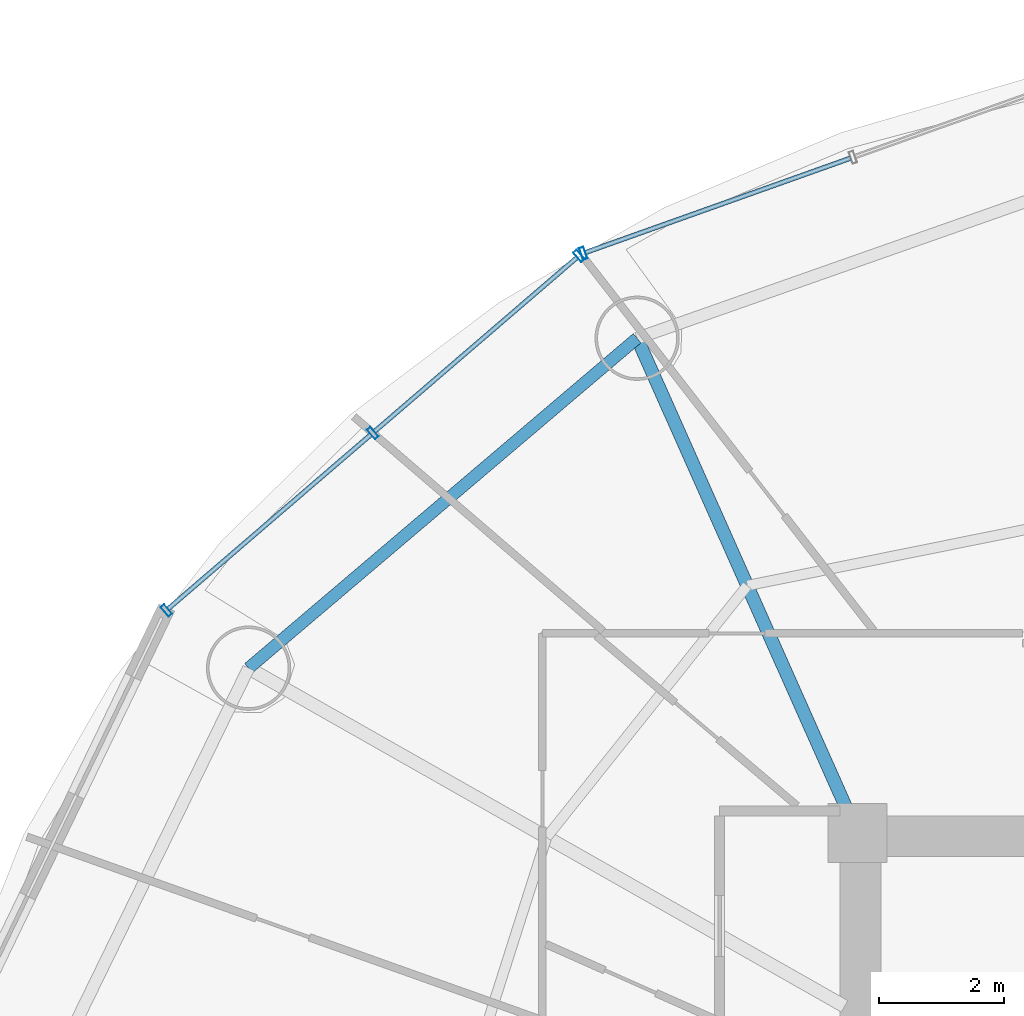
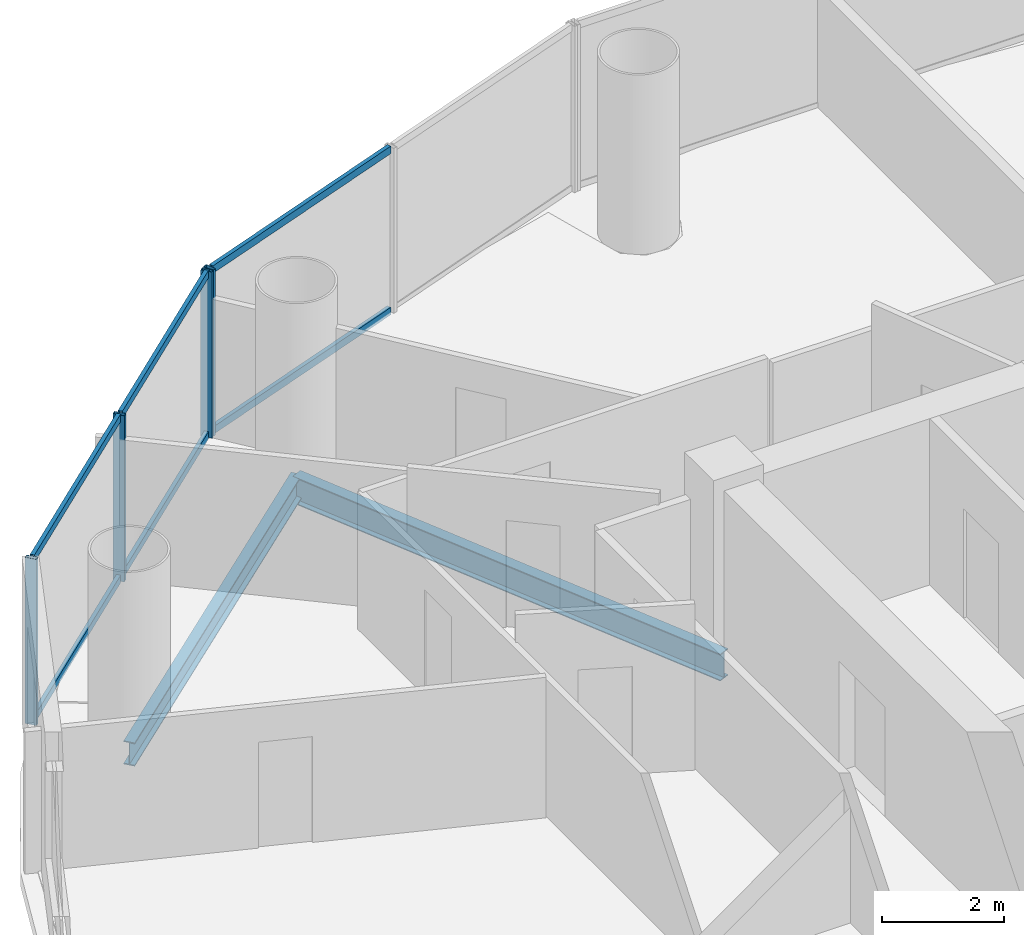
# One storey, part 14 of 27: 10 members, 2 beams, 2 elements without a shape of their own.
"""IFC4 building model written with IfcOpenShell, lengths in metres."""

from ifc_helpers import new_model, si_unit, direction, frame, origin, origin_2d, place, context, subcontext, project, spatial, hollow_rectangle, i_section, extrude, source, transform, mapped, material, material_profile, profile_set, type_object, element, aggregate, save


model = new_model("IFC4")

# Units and contexts
model_context = context("Model", 3, precision=1e-05, world=origin(), true_north=direction((-0.2419218956, 0.970295726276)))
body_context = subcontext(model_context, "Body", "Model", "MODEL_VIEW")
ifc_project = project(units=[si_unit("LENGTHUNIT", "METRE"), si_unit("AREAUNIT", "SQUARE_METRE"), si_unit("VOLUMEUNIT", "CUBIC_METRE"), si_unit("PLANEANGLEUNIT", "RADIAN"), si_unit("MASSUNIT", "GRAM", prefix="KILO")], contexts=[model_context])

# Site, building, storey
site_placement = place(None, origin())
site = spatial("IfcSite", under=ifc_project, at=site_placement, CompositionType="ELEMENT")
building_placement = place(site_placement, origin())
building = spatial("IfcBuilding", under=site, at=building_placement, Name="Cobrevalo Terracotta Tower", CompositionType="ELEMENT")
storey_placement = place(building_placement, frame((0.0, 0.0, 160.60009765625)))
storey = spatial("IfcBuildingStorey", under=building, at=storey_placement, Name="L42", CompositionType="ELEMENT", Elevation=160.60009765625)

# Beams
ifc_material_1 = material(Name="Steel S355", Category="steel")
ifc_material_profile_1 = material_profile(ifc_material_1, i_section(OverallWidth=0.2109375, OverallDepth=0.5390625, WebThickness=0.01171875, FlangeThickness=0.018798828125, at=origin_2d()), Name="W 530x109")
ifc_profile_set_1 = profile_set([ifc_material_profile_1], Name="Steel S355")
beam_type_1 = type_object("IfcBeamType", Name="Structural Beam W 530x109 (Steel S355)", PredefinedType="BEAM", material=ifc_profile_set_1)
beam_1_placement = place(storey_placement, frame((25.471923828125, 42.72265625, -0.53955078125), z_axis=(0.406804395691, -0.913515289224, 0.0), x_axis=(0.913515289224, 0.406804395691, 0.0)))
element("IfcBeam", 1, at=beam_1_placement, inside=storey, type_object=beam_type_1, Name="L42 radial floor girder 06", PredefinedType="BEAM", context=body_context, shape_type="SweptSolid", body=[
    extrude(i_section(OverallWidth=0.2109375, OverallDepth=0.5390625, WebThickness=0.01171875, FlangeThickness=0.018798828125, at=origin_2d()), origin(), (0.0, 0.0, 1.0), 8.672607421875),
])
ifc_material_profile_2 = material_profile(ifc_material_1, i_section(OverallWidth=0.194091796875, OverallDepth=0.468994140625, WebThickness=0.011474609375, FlangeThickness=0.0205078125, at=origin_2d()), Name="W 460x106")
ifc_profile_set_2 = profile_set([ifc_material_profile_2], Name="Steel S355")
beam_type_2 = type_object("IfcBeamType", Name="Structural Spandrel W 460x106 (Steel S355)", PredefinedType="SPANDREL", material=ifc_profile_set_2)
beam_2_placement = place(storey_placement, frame((25.471923828125, 42.72265625, -0.504638671875), z_axis=(-0.762240337798, -0.647294112003, 0.0), x_axis=(0.647294112003, -0.762240337798, 0.0)))
element("IfcBeam", 2, at=beam_2_placement, inside=storey, type_object=beam_type_2, Name="L42 perimeter ring spandrel 06", PredefinedType="SPANDREL", context=body_context, shape_type="SweptSolid", body=[
    extrude(i_section(OverallWidth=0.194091796875, OverallDepth=0.468994140625, WebThickness=0.011474609375, FlangeThickness=0.0205078125, at=origin_2d()), origin(), (0.0, 0.0, 1.0), 8.162353515625),
])

# Curtain wall, members
ifc_material_2 = material(Name="Anodized aluminium", Category="aluminium")
curtain_wall_type = type_object("IfcCurtainWallType", Name="Mid-tower high-wind unitised curtain wall CW-U2", PredefinedType="NOTDEFINED", material=ifc_material_2)
curtain_wall_1_placement = place(storey_placement, origin())
curtain_wall_1 = element("IfcCurtainWall", 3, at=curtain_wall_1_placement, inside=storey, type_object=curtain_wall_type, Name="L42 curtain wall CW-L42-S06", PredefinedType="NOTDEFINED")
ifc_material_profile_3 = material_profile(ifc_material_2, hollow_rectangle(XDim=0.074951171875, YDim=0.14990234375, WallThickness=0.00439453125, at=origin_2d()), Name="CWT 75x150")
ifc_profile_set_3 = profile_set([ifc_material_profile_3], Name="Anodized aluminium")
member_type_1 = type_object("IfcMemberType", Name="Tower unitised aluminium transom 75x150", PredefinedType="USERDEFINED", material=ifc_profile_set_3)
shared_shape_1 = source(origin(), body_context, "Body", "SweptSolid", [
    extrude(hollow_rectangle(XDim=0.074951171875, YDim=0.14990234375, WallThickness=0.00439453125, at=origin_2d()), origin(), (0.0, 0.0, 1.0), 4.276123046875),
])
member_1_placement = place(storey_placement, frame((24.51123046875, 44.017578125, 0.0498046875), z_axis=(-0.758417719247, -0.651768795764, 0.0), x_axis=(0.651768795764, -0.758417719247, 0.0)))
member_1 = element("IfcMember", 4, at=member_1_placement, type_object=member_type_1, Name="CW-L42-S06 transom B01-T1", ObjectType="TRANSOM", PredefinedType="USERDEFINED", context=body_context, shape_type="MappedRepresentation", body=[
    mapped(shared_shape_1, transform((0.0, 0.0, 0.0), scale=1.0)),
])
member_2_placement = place(storey_placement, frame((24.51123046875, 44.017578125, 3.27978515625), z_axis=(-0.758417719247, -0.651768795764, 0.0), x_axis=(0.651768795764, -0.758417719247, 0.0)))
member_2 = element("IfcMember", 5, at=member_2_placement, type_object=member_type_1, Name="CW-L42-S06 transom B01-T2", ObjectType="TRANSOM", PredefinedType="USERDEFINED", context=body_context, shape_type="MappedRepresentation", body=[
    mapped(shared_shape_1, transform((0.0, 0.0, 0.0), scale=1.0)),
])
member_3_placement = place(storey_placement, frame((21.207275390625, 41.17822265625, 0.0498046875), z_axis=(-0.758445941187, -0.65173595443, 0.0), x_axis=(0.65173595443, -0.758445941187, 0.0)))
member_3 = element("IfcMember", 6, at=member_3_placement, type_object=member_type_1, Name="CW-L42-S06 transom B02-T1", ObjectType="TRANSOM", PredefinedType="USERDEFINED", context=body_context, shape_type="MappedRepresentation", body=[
    mapped(shared_shape_1, transform((0.0, 0.0, 0.0), scale=1.0)),
])
member_4_placement = place(storey_placement, frame((21.207275390625, 41.17822265625, 3.27978515625), z_axis=(-0.758445941187, -0.65173595443, 0.0), x_axis=(0.65173595443, -0.758445941187, 0.0)))
member_4 = element("IfcMember", 7, at=member_4_placement, type_object=member_type_1, Name="CW-L42-S06 transom B02-T2", ObjectType="TRANSOM", PredefinedType="USERDEFINED", context=body_context, shape_type="MappedRepresentation", body=[
    mapped(shared_shape_1, transform((0.0, 0.0, 0.0), scale=1.0)),
])

# Curtain wall, member
curtain_wall_2_placement = place(storey_placement, origin())
curtain_wall_2 = element("IfcCurtainWall", 8, at=curtain_wall_2_placement, inside=storey, type_object=curtain_wall_type, Name="L42 curtain wall CW-L42-S05", PredefinedType="NOTDEFINED")
ifc_material_profile_4 = material_profile(ifc_material_2, hollow_rectangle(XDim=0.074951171875, YDim=0.199951171875, WallThickness=0.0048828125, at=origin_2d()), Name="CWM 75x200")
ifc_profile_set_4 = profile_set([ifc_material_profile_4], Name="Anodized aluminium")
member_type_2 = type_object("IfcMemberType", Name="Lower/mid tower unitised mullion 75x200", PredefinedType="MULLION", material=ifc_profile_set_4)
shared_shape_2 = source(origin(), body_context, "Body", "SweptSolid", [
    extrude(hollow_rectangle(XDim=0.074951171875, YDim=0.199951171875, WallThickness=0.0048828125, at=origin_2d()), origin(), (0.0, 0.0, 1.0), 3.329833984375),
])
member_5_placement = place(storey_placement, frame((24.609619140625, 44.0830078125, 0.0), z_axis=(0.0, 0.0, 1.0), x_axis=(-0.942098428897, -0.335336473217, 0.0)))
member_5 = element("IfcMember", 9, at=member_5_placement, type_object=member_type_2, Name="CW-L42-S05 vertical mullion 03", PredefinedType="MULLION", context=body_context, shape_type="MappedRepresentation", body=[
    mapped(shared_shape_2, transform((0.0, 0.0, 0.0), scale=1.0)),
])

# Member
member_6_placement = place(storey_placement, frame((24.54150390625, 44.04345703125, 0.0), z_axis=(0.0, 0.0, 1.0), x_axis=(-0.758441546142, -0.65174106905, 0.0)))
member_6 = element("IfcMember", 10, at=member_6_placement, type_object=member_type_2, Name="CW-L42-S06 vertical mullion 01", PredefinedType="MULLION", context=body_context, shape_type="MappedRepresentation", body=[
    mapped(shared_shape_2, transform((0.0, 0.0, 0.0), scale=1.0)),
])

member_7_placement = place(storey_placement, frame((21.237548828125, 41.204345703125, 0.0), z_axis=(0.0, 0.0, 1.0), x_axis=(-0.758441546142, -0.65174106905, 0.0)))
member_7 = element("IfcMember", 11, at=member_7_placement, type_object=member_type_2, Name="CW-L42-S06 vertical mullion 02", PredefinedType="MULLION", context=body_context, shape_type="MappedRepresentation", body=[
    mapped(shared_shape_2, transform((0.0, 0.0, 0.0), scale=1.0)),
])

member_8_placement = place(storey_placement, frame((17.933837890625, 38.365234375, 0.0), z_axis=(0.0, 0.0, 1.0), x_axis=(-0.758441546142, -0.65174106905, 0.0)))
member_8 = element("IfcMember", 12, at=member_8_placement, type_object=member_type_2, Name="CW-L42-S06 vertical mullion 03", PredefinedType="MULLION", context=body_context, shape_type="MappedRepresentation", body=[
    mapped(shared_shape_2, transform((0.0, 0.0, 0.0), scale=1.0)),
])

aggregate(curtain_wall_1, [member_6, member_7, member_8, member_1, member_2, member_3, member_4])

shared_shape_3 = source(origin(), body_context, "Body", "SweptSolid", [
    extrude(hollow_rectangle(XDim=0.074951171875, YDim=0.14990234375, WallThickness=0.00439453125, at=origin_2d()), origin(), (0.0, 0.0, 1.0), 4.504150390625),
])
member_9_placement = place(storey_placement, frame((28.890625, 45.60693359375, 0.0498046875), z_axis=(-0.942093344241, -0.335350757771, 0.0), x_axis=(0.335350757771, -0.942093344241, 0.0)))
member_9 = element("IfcMember", 13, at=member_9_placement, type_object=member_type_1, Name="CW-L42-S05 transom B02-T1", ObjectType="TRANSOM", PredefinedType="USERDEFINED", context=body_context, shape_type="MappedRepresentation", body=[
    mapped(shared_shape_3, transform((0.0, 0.0, 0.0), scale=1.0)),
])

member_10_placement = place(storey_placement, frame((28.890625, 45.60693359375, 3.27978515625), z_axis=(-0.942093344241, -0.335350757771, 0.0), x_axis=(0.335350757771, -0.942093344241, 0.0)))
member_10 = element("IfcMember", 14, at=member_10_placement, type_object=member_type_1, Name="CW-L42-S05 transom B02-T2", ObjectType="TRANSOM", PredefinedType="USERDEFINED", context=body_context, shape_type="MappedRepresentation", body=[
    mapped(shared_shape_3, transform((0.0, 0.0, 0.0), scale=1.0)),
])

aggregate(curtain_wall_2, [member_5, member_9, member_10])

save(model, "model.ifc")
